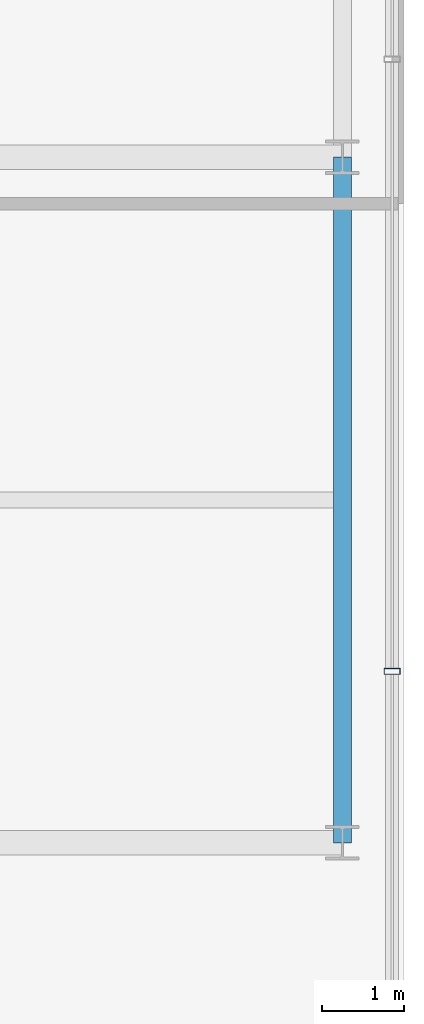
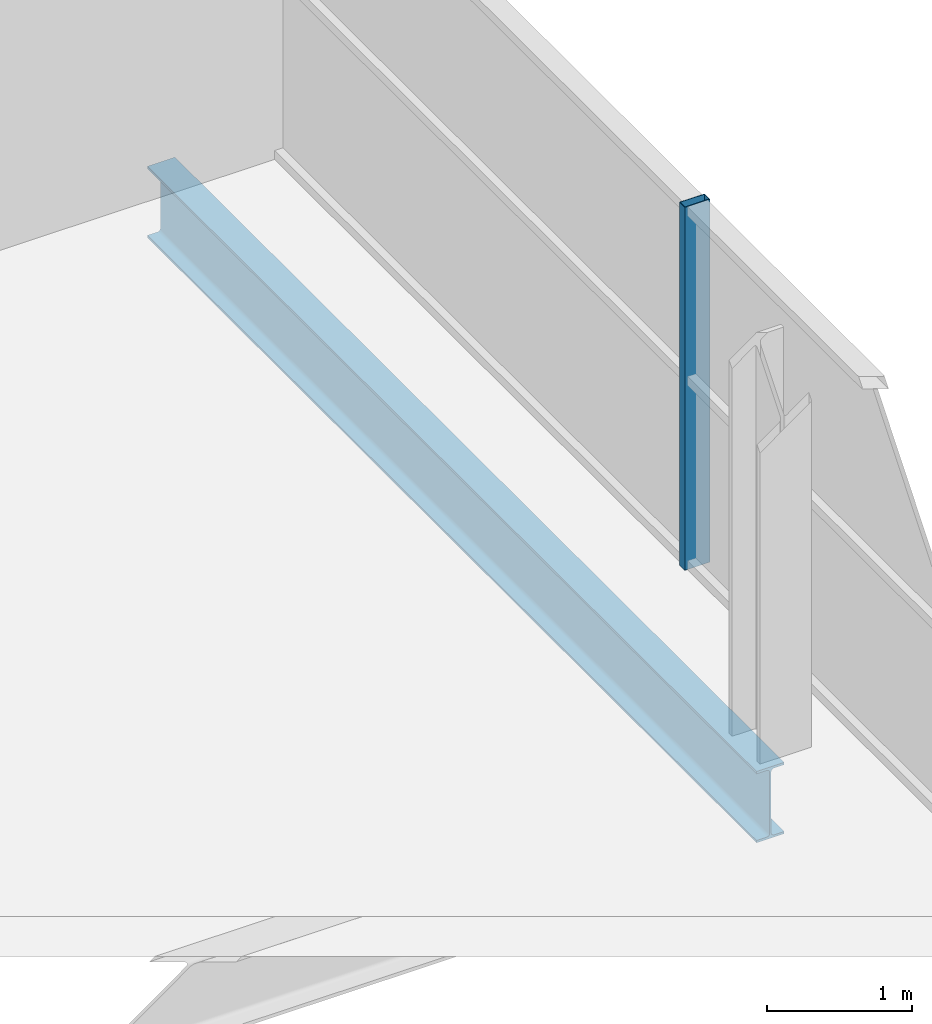
# One storey, part 13 of 31: 1 beam, 1 member, 1 element without a shape of its own.
"""IFC4 building model written with IfcOpenShell, lengths in metres."""

from ifc_helpers import new_model, si_unit, direction, frame, origin, origin_2d, place, context, subcontext, project, spatial, hollow_rectangle, i_section, extrude, source, transform, mapped, material, layer, layer_set, material_profile, profile_set, type_object, element, aggregate, save


model = new_model("IFC4")

# Units and contexts
model_context = context("Model", 3, precision=1e-05, world=origin(), true_north=direction((0.0, 1.0)))
body_context = subcontext(model_context, "Body", "Model", "MODEL_VIEW")
ifc_project = project(units=[si_unit("LENGTHUNIT", "METRE"), si_unit("AREAUNIT", "SQUARE_METRE"), si_unit("VOLUMEUNIT", "CUBIC_METRE"), si_unit("PLANEANGLEUNIT", "RADIAN"), si_unit("MASSUNIT", "GRAM", prefix="KILO")], contexts=[model_context])

# Site, building, storey
site_placement = place(None, origin())
site = spatial("IfcSite", under=ifc_project, at=site_placement, CompositionType="ELEMENT")
building_placement = place(site_placement, origin())
building = spatial("IfcBuilding", under=site, at=building_placement, Name="Zarnakvel Exchange Tower", CompositionType="ELEMENT")
storey_placement = place(building_placement, frame((0.0, 0.0, 60.39990234375)))
storey = spatial("IfcBuildingStorey", under=building, at=storey_placement, Name="L16", CompositionType="ELEMENT", Elevation=60.39990234375)

# Beam
ifc_material_1 = material(Name="Steel S355", Category="steel")
ifc_material_profile_1 = material_profile(ifc_material_1, i_section(OverallWidth=0.219970703125, OverallDepth=0.60009765625, WebThickness=0.011962890625, FlangeThickness=0.01904296875, FilletRadius=0.02392578125, at=origin_2d()))
ifc_profile_set_1 = profile_set([ifc_material_profile_1], Name="Steel S355")
beam_type = type_object("IfcBeamType", Name="SP-01", PredefinedType="SPANDREL", material=ifc_profile_set_1)
beam_placement = place(storey_placement, frame((31.85009765625, -9.60009765625, -0.52490234375), z_axis=(0.0, 1.0, 0.0), x_axis=(-1.0, 0.0, 0.0)))
element("IfcBeam", 1, at=beam_placement, inside=storey, type_object=beam_type, Name="L16 Tower N-S Frame Beam", PredefinedType="SPANDREL", context=body_context, shape_type="SweptSolid", body=[
    extrude(i_section(OverallWidth=0.219970703125, OverallDepth=0.60009765625, WebThickness=0.011962890625, FlangeThickness=0.01904296875, FilletRadius=0.02392578125, at=origin_2d()), origin(), (0.0, 0.0, 1.0), 8.400146484375),
])

# Curtain wall, member
ifc_material_2 = material(Name="Architectural Bronze Anodised Aluminium", Category="aluminium")
ifc_layer = layer(ifc_material_2, 0.199951171875)
ifc_layer_set = layer_set([ifc_layer], Name="Architectural Bronze Anodised Aluminium")
curtain_wall_type = type_object("IfcCurtainWallType", Name="CW-04", PredefinedType="NOTDEFINED", material=ifc_layer_set)
curtain_wall_placement = place(storey_placement, origin())
curtain_wall = element("IfcCurtainWall", 2, at=curtain_wall_placement, inside=storey, type_object=curtain_wall_type, Name="L16 Curtain Wall CW-L16-E1 (CW-04)", PredefinedType="NOTDEFINED")
ifc_material_profile_2 = material_profile(ifc_material_2, hollow_rectangle(XDim=0.199951171875, YDim=0.074951171875, WallThickness=0.0048828125, at=origin_2d()))
ifc_profile_set_2 = profile_set([ifc_material_profile_2], Name="Architectural Bronze Anodised Aluminium")
member_type = type_object("IfcMemberType", Name="CWM-04", PredefinedType="MULLION", material=ifc_profile_set_2)
shared_shape = source(origin(), body_context, "Body", "SweptSolid", [
    extrude(hollow_rectangle(XDim=0.199951171875, YDim=0.074951171875, WallThickness=0.0048828125, at=origin_2d()), origin(), (0.0, 0.0, 1.0), 3.05517578125),
])
member_placement = place(storey_placement, frame((32.4599609375, -7.5, 0.0), z_axis=(0.0, 0.0, 1.0), x_axis=(-1.0, 0.0, 0.0)))
member = element("IfcMember", 3, at=member_placement, type_object=member_type, Name="CW-04 mullion 2", PredefinedType="MULLION", context=body_context, shape_type="MappedRepresentation", body=[
    mapped(shared_shape, transform((0.0, 0.0, 0.0), x_axis=(1.0, 0.0, 0.0), y_axis=(0.0, 1.0, 0.0), z_axis=(0.0, 0.0, 1.0), scale=1.0)),
])
aggregate(curtain_wall, [member])

save(model, "model.ifc")
